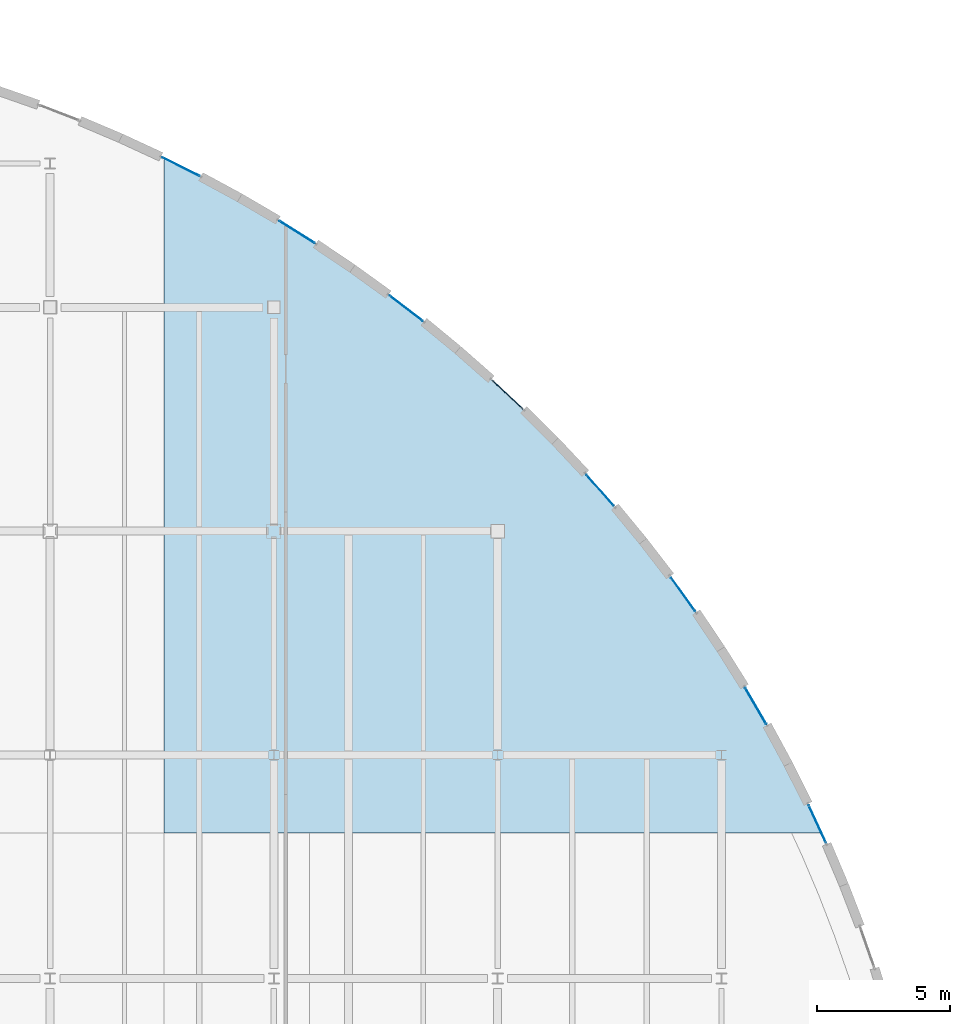
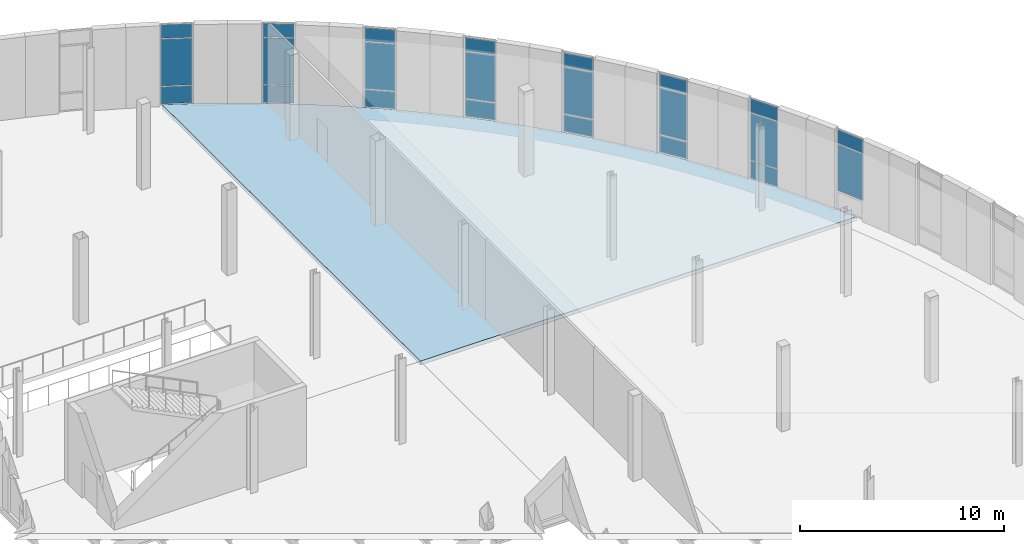
# One storey, part 64 of 104: 23 plates, 1 slab, 8 elements without a shape of their own.
"""IFC4 building model written with IfcOpenShell, lengths in metres."""

from ifc_helpers import new_model, si_unit, direction, frame, origin, origin_2d, place, context, subcontext, project, spatial, polyline, rectangle, outline, extrude, material, layer, layer_set, type_object, element, aggregate, save


model = new_model("IFC4")

# Units and contexts
model_context = context("Model", 3, precision=1e-05, world=origin(), true_north=direction((0.0, 1.0)))
body_context = subcontext(model_context, "Body", "Model", "MODEL_VIEW")
ifc_project = project(units=[si_unit("LENGTHUNIT", "METRE"), si_unit("AREAUNIT", "SQUARE_METRE"), si_unit("VOLUMEUNIT", "CUBIC_METRE"), si_unit("PLANEANGLEUNIT", "RADIAN"), si_unit("MASSUNIT", "GRAM", prefix="KILO"), si_unit("THERMODYNAMICTEMPERATUREUNIT", "KELVIN")], contexts=[model_context])

# Site, building, storey
site_placement = place(None, origin())
site = spatial("IfcSite", under=ifc_project, at=site_placement, CompositionType="ELEMENT")
building_placement = place(site_placement, origin())
building = spatial("IfcBuilding", under=site, at=building_placement, Name="Lustrewick Department Store", CompositionType="ELEMENT")
storey_placement = place(building_placement, frame((0.0, 0.0, 11.39990234375)))
storey = spatial("IfcBuildingStorey", under=building, at=storey_placement, Name="L03", CompositionType="ELEMENT", Elevation=11.39990234375)

# Curtain wall, plates
ifc_material_1 = material(Name="Thermally broken aluminium 6063-T5", Category="aluminium")
ifc_layer_1 = layer(ifc_material_1, 0.199951171875, Name="Thermally broken aluminium 6063-T5")
ifc_layer_set_1 = layer_set([ifc_layer_1], Name="Thermally broken aluminium 6063-T5")
curtain_wall_type_1 = type_object("IfcCurtainWallType", Name="CW01", PredefinedType="NOTDEFINED", material=ifc_layer_set_1)
curtain_wall_1_placement = place(storey_placement, origin())
curtain_wall_1 = element("IfcCurtainWall", 1, at=curtain_wall_1_placement, inside=storey, type_object=curtain_wall_type_1, Name="L03 V4 Curtain Wall CW01", PredefinedType="NOTDEFINED")
ifc_material_2 = material(Name="Low-E laminated safety glass", Category="glass")
ifc_layer_2 = layer(ifc_material_2, 0.02392578125, Name="Low-E laminated safety glass")
ifc_layer_set_2 = layer_set([ifc_layer_2], Name="Low-E laminated safety glass")
plate_type_1 = type_object("IfcPlateType", Name="CP01", PredefinedType="CURTAIN_PANEL", material=ifc_layer_set_2)
plate_1_placement = place(storey_placement, frame((158.1611328125, 90.02587890625, 0.070068359375), z_axis=(0.0, 0.0, 1.0), x_axis=(-0.585232055106, 0.810865859237, 0.0)))
plate_1 = element("IfcPlate", 2, at=plate_1_placement, type_object=plate_type_1, Name="CW01 panel 1.1", PredefinedType="CURTAIN_PANEL", context=body_context, shape_type="SweptSolid", body=[
    extrude(rectangle(XDim=1.52685546875, YDim=0.02392578125, at=origin_2d()), origin(), (0.0, 0.0, 1.0), 0.9951171875),
])
plate_2_placement = place(storey_placement, frame((158.1611328125, 90.02587890625, 1.13525390625), z_axis=(0.0, 0.0, 1.0), x_axis=(-0.585232055106, 0.810865859237, 0.0)))
plate_2 = element("IfcPlate", 3, at=plate_2_placement, type_object=plate_type_1, Name="CW01 panel 1.2", PredefinedType="CURTAIN_PANEL", context=body_context, shape_type="SweptSolid", body=[
    extrude(rectangle(XDim=1.52685546875, YDim=0.02392578125, at=origin_2d()), origin(), (0.0, 0.0, 1.0), 2.77490234375),
])
plate_3_placement = place(storey_placement, frame((158.1611328125, 90.02587890625, 3.980224609375), z_axis=(0.0, 0.0, 1.0), x_axis=(-0.585232055106, 0.810865859237, 0.0)))
plate_3 = element("IfcPlate", 4, at=plate_3_placement, type_object=plate_type_1, Name="CW01 panel 1.3", PredefinedType="CURTAIN_PANEL", context=body_context, shape_type="SweptSolid", body=[
    extrude(rectangle(XDim=1.52685546875, YDim=0.02392578125, at=origin_2d()), origin(), (0.0, 0.0, 1.0), 0.794921875),
])
aggregate(curtain_wall_1, [plate_1, plate_2, plate_3])

ifc_layer_3 = layer(ifc_material_1, 0.139892578125, Name="Thermally broken aluminium 6063-T5")
ifc_layer_set_3 = layer_set([ifc_layer_3], Name="Thermally broken aluminium 6063-T5")
curtain_wall_type_2 = type_object("IfcCurtainWallType", Name="CW06", PredefinedType="NOTDEFINED", material=ifc_layer_set_3)
curtain_wall_2_placement = place(storey_placement, origin())
curtain_wall_2 = element("IfcCurtainWall", 5, at=curtain_wall_2_placement, inside=storey, type_object=curtain_wall_type_2, Name="L03 V4 Curtain Wall CW06", PredefinedType="NOTDEFINED")
plate_4_placement = place(storey_placement, frame((139.306884765625, 106.076904296875, 0.05517578125), z_axis=(0.0, 0.0, 1.0), x_axis=(-0.893898627635, 0.448269164132, 0.0)))
plate_4 = element("IfcPlate", 6, at=plate_4_placement, type_object=plate_type_1, Name="CW06 panel 1.1", PredefinedType="CURTAIN_PANEL", context=body_context, shape_type="SweptSolid", body=[
    extrude(rectangle(XDim=1.556884765625, YDim=0.02392578125, at=origin_2d()), origin(), (0.0, 0.0, 1.0), 1.017578125),
])
plate_5_placement = place(storey_placement, frame((139.306884765625, 106.076904296875, 1.127685546875), z_axis=(0.0, 0.0, 1.0), x_axis=(-0.893898627635, 0.448269164132, 0.0)))
plate_5 = element("IfcPlate", 7, at=plate_5_placement, type_object=plate_type_1, Name="CW06 panel 1.2", PredefinedType="CURTAIN_PANEL", context=body_context, shape_type="SweptSolid", body=[
    extrude(rectangle(XDim=1.556884765625, YDim=0.02392578125, at=origin_2d()), origin(), (0.0, 0.0, 1.0), 2.7900390625),
])
plate_6_placement = place(storey_placement, frame((139.306884765625, 106.076904296875, 3.97265625), z_axis=(0.0, 0.0, 1.0), x_axis=(-0.893898627635, 0.448269164132, 0.0)))
plate_6 = element("IfcPlate", 8, at=plate_6_placement, type_object=plate_type_1, Name="CW06 panel 1.3", PredefinedType="CURTAIN_PANEL", context=body_context, shape_type="SweptSolid", body=[
    extrude(rectangle(XDim=1.556884765625, YDim=0.02392578125, at=origin_2d()), origin(), (0.0, 0.0, 1.0), 0.8173828125),
])
aggregate(curtain_wall_2, [plate_4, plate_5, plate_6])

ifc_layer_4 = layer(ifc_material_1, 0.179931640625, Name="Thermally broken aluminium 6063-T5")
ifc_layer_set_4 = layer_set([ifc_layer_4], Name="Thermally broken aluminium 6063-T5")
curtain_wall_type_3 = type_object("IfcCurtainWallType", Name="CW02", PredefinedType="NOTDEFINED", material=ifc_layer_set_4)
curtain_wall_3_placement = place(storey_placement, origin())
curtain_wall_3 = element("IfcCurtainWall", 9, at=curtain_wall_3_placement, inside=storey, type_object=curtain_wall_type_3, Name="L03 V4 Curtain Wall CW02", PredefinedType="NOTDEFINED")
ifc_layer_5 = layer(ifc_material_2, 0.02587890625, Name="Low-E laminated safety glass")
ifc_layer_set_5 = layer_set([ifc_layer_5], Name="Low-E laminated safety glass")
plate_type_2 = type_object("IfcPlateType", Name="CP02", PredefinedType="CURTAIN_PANEL", material=ifc_layer_set_5)
plate_7_placement = place(storey_placement, frame((155.044921875, 93.933837890625, 0.065185546875), z_axis=(0.0, 0.0, 1.0), x_axis=(-0.660358716004, 0.750950308741, 0.0)))
plate_7 = element("IfcPlate", 10, at=plate_7_placement, type_object=plate_type_2, Name="CW02 panel 1.1", PredefinedType="CURTAIN_PANEL", context=body_context, shape_type="SweptSolid", body=[
    extrude(rectangle(XDim=1.536865234375, YDim=0.02587890625, at=origin_2d()), origin(), (0.0, 0.0, 1.0), 1.00244140625),
])
plate_8_placement = place(storey_placement, frame((155.044921875, 93.933837890625, 1.1328125), z_axis=(0.0, 0.0, 1.0), x_axis=(-0.660358716004, 0.750950308741, 0.0)))
plate_8 = element("IfcPlate", 11, at=plate_8_placement, type_object=plate_type_2, Name="CW02 panel 1.2", PredefinedType="CURTAIN_PANEL", context=body_context, shape_type="SweptSolid", body=[
    extrude(rectangle(XDim=1.536865234375, YDim=0.02587890625, at=origin_2d()), origin(), (0.0, 0.0, 1.0), 2.780029296875),
])
plate_9_placement = place(storey_placement, frame((155.044921875, 93.933837890625, 3.9775390625), z_axis=(0.0, 0.0, 1.0), x_axis=(-0.660358716004, 0.750950308741, 0.0)))
plate_9 = element("IfcPlate", 12, at=plate_9_placement, type_object=plate_type_2, Name="CW02 panel 1.3", PredefinedType="CURTAIN_PANEL", context=body_context, shape_type="SweptSolid", body=[
    extrude(rectangle(XDim=1.536865234375, YDim=0.02587890625, at=origin_2d()), origin(), (0.0, 0.0, 1.0), 0.802490234375),
])
aggregate(curtain_wall_3, [plate_7, plate_8, plate_9])

ifc_layer_6 = layer(ifc_material_1, 0.169921875, Name="Thermally broken aluminium 6063-T5")
ifc_layer_set_6 = layer_set([ifc_layer_6], Name="Thermally broken aluminium 6063-T5")
curtain_wall_type_4 = type_object("IfcCurtainWallType", Name="CW03", PredefinedType="NOTDEFINED", material=ifc_layer_set_6)
curtain_wall_4_placement = place(storey_placement, origin())
curtain_wall_4 = element("IfcCurtainWall", 13, at=curtain_wall_4_placement, inside=storey, type_object=curtain_wall_type_4, Name="L03 V4 Curtain Wall CW03", PredefinedType="NOTDEFINED")
ifc_layer_7 = layer(ifc_material_2, 0.028076171875, Name="Low-E laminated safety glass")
ifc_layer_set_7 = layer_set([ifc_layer_7], Name="Low-E laminated safety glass")
plate_type_3 = type_object("IfcPlateType", Name="CP03", PredefinedType="CURTAIN_PANEL", material=ifc_layer_set_7)
plate_10_placement = place(storey_placement, frame((151.567626953125, 97.5244140625, 0.065185546875), z_axis=(0.0, 0.0, 1.0), x_axis=(-0.729419333383, 0.68406683598, 0.0)))
plate_10 = element("IfcPlate", 14, at=plate_10_placement, type_object=plate_type_3, Name="CW03 panel 1.1", PredefinedType="CURTAIN_PANEL", context=body_context, shape_type="SweptSolid", body=[
    extrude(rectangle(XDim=1.536865234375, YDim=0.028076171875, at=origin_2d()), origin(), (0.0, 0.0, 1.0), 1.00244140625),
])
plate_11_placement = place(storey_placement, frame((151.567626953125, 97.5244140625, 1.1328125), z_axis=(0.0, 0.0, 1.0), x_axis=(-0.729419333383, 0.68406683598, 0.0)))
plate_11 = element("IfcPlate", 15, at=plate_11_placement, type_object=plate_type_3, Name="CW03 panel 1.2", PredefinedType="CURTAIN_PANEL", context=body_context, shape_type="SweptSolid", body=[
    extrude(rectangle(XDim=1.536865234375, YDim=0.028076171875, at=origin_2d()), origin(), (0.0, 0.0, 1.0), 2.780029296875),
])
plate_12_placement = place(storey_placement, frame((151.567626953125, 97.5244140625, 3.9775390625), z_axis=(0.0, 0.0, 1.0), x_axis=(-0.729419333383, 0.68406683598, 0.0)))
plate_12 = element("IfcPlate", 16, at=plate_12_placement, type_object=plate_type_3, Name="CW03 panel 1.3", PredefinedType="CURTAIN_PANEL", context=body_context, shape_type="SweptSolid", body=[
    extrude(rectangle(XDim=1.536865234375, YDim=0.028076171875, at=origin_2d()), origin(), (0.0, 0.0, 1.0), 0.802490234375),
])
aggregate(curtain_wall_4, [plate_10, plate_11, plate_12])

ifc_layer_8 = layer(ifc_material_1, 0.14990234375, Name="Thermally broken aluminium 6063-T5")
ifc_layer_set_8 = layer_set([ifc_layer_8], Name="Thermally broken aluminium 6063-T5")
curtain_wall_type_5 = type_object("IfcCurtainWallType", Name="CW14", PredefinedType="NOTDEFINED", material=ifc_layer_set_8)
curtain_wall_5_placement = place(storey_placement, origin())
curtain_wall_5 = element("IfcCurtainWall", 17, at=curtain_wall_5_placement, inside=storey, type_object=curtain_wall_type_5, Name="L03 V4 Curtain Wall CW14", PredefinedType="NOTDEFINED")
ifc_material_3 = material(Name="Tinted ceramic spandrel safety glass", Category="glass")
ifc_layer_9 = layer(ifc_material_3, 0.030029296875, Name="Tinted ceramic spandrel safety glass")
ifc_layer_set_9 = layer_set([ifc_layer_9], Name="Tinted ceramic spandrel safety glass")
plate_type_4 = type_object("IfcPlateType", Name="CP04", PredefinedType="CURTAIN_PANEL", material=ifc_layer_set_9)
plate_13_placement = place(storey_placement, frame((163.199951171875, 81.4052734375, 1.13037109375), z_axis=(0.0, 0.0, 1.0), x_axis=(-0.419381504995, 0.907810086565, 0.0)))
plate_13 = element("IfcPlate", 18, at=plate_13_placement, type_object=plate_type_4, Name="CW14 panel 1.2", PredefinedType="CURTAIN_PANEL", context=body_context, shape_type="SweptSolid", body=[
    extrude(rectangle(XDim=1.546875, YDim=0.030029296875, at=origin_2d()), origin(), (0.0, 0.0, 1.0), 2.784912109375),
])
plate_14_placement = place(storey_placement, frame((163.199951171875, 81.4052734375, 3.97509765625), z_axis=(0.0, 0.0, 1.0), x_axis=(-0.419381504995, 0.907810086565, 0.0)))
plate_14 = element("IfcPlate", 19, at=plate_14_placement, type_object=plate_type_4, Name="CW14 panel 1.3", PredefinedType="CURTAIN_PANEL", context=body_context, shape_type="SweptSolid", body=[
    extrude(rectangle(XDim=1.546875, YDim=0.030029296875, at=origin_2d()), origin(), (0.0, 0.0, 1.0), 0.81005859375),
])
aggregate(curtain_wall_5, [plate_13, plate_14])

ifc_layer_10 = layer(ifc_material_1, 0.159912109375, Name="Thermally broken aluminium 6063-T5")
ifc_layer_set_10 = layer_set([ifc_layer_10], Name="Thermally broken aluminium 6063-T5")
curtain_wall_type_6 = type_object("IfcCurtainWallType", Name="CW04", PredefinedType="NOTDEFINED", material=ifc_layer_set_10)
curtain_wall_6_placement = place(storey_placement, origin())
curtain_wall_6 = element("IfcCurtainWall", 20, at=curtain_wall_6_placement, inside=storey, type_object=curtain_wall_type_6, Name="L03 V4 Curtain Wall CW04", PredefinedType="NOTDEFINED")
plate_15_placement = place(storey_placement, frame((147.76171875, 100.764404296875, 0.06005859375), z_axis=(0.0, 0.0, 1.0), x_axis=(-0.791733347039, 0.610866848982, 0.0)))
plate_15 = element("IfcPlate", 21, at=plate_15_placement, type_object=plate_type_4, Name="CW04 panel 1.1", PredefinedType="CURTAIN_PANEL", context=body_context, shape_type="SweptSolid", body=[
    extrude(rectangle(XDim=1.546875, YDim=0.030029296875, at=origin_2d()), origin(), (0.0, 0.0, 1.0), 1.010009765625),
])
plate_16_placement = place(storey_placement, frame((147.76171875, 100.764404296875, 1.13037109375), z_axis=(0.0, 0.0, 1.0), x_axis=(-0.791733347039, 0.610866848982, 0.0)))
plate_16 = element("IfcPlate", 22, at=plate_16_placement, type_object=plate_type_4, Name="CW04 panel 1.2", PredefinedType="CURTAIN_PANEL", context=body_context, shape_type="SweptSolid", body=[
    extrude(rectangle(XDim=1.546875, YDim=0.030029296875, at=origin_2d()), origin(), (0.0, 0.0, 1.0), 2.784912109375),
])
plate_17_placement = place(storey_placement, frame((147.76171875, 100.764404296875, 3.97509765625), z_axis=(0.0, 0.0, 1.0), x_axis=(-0.791733347039, 0.610866848982, 0.0)))
plate_17 = element("IfcPlate", 23, at=plate_17_placement, type_object=plate_type_4, Name="CW04 panel 1.3", PredefinedType="CURTAIN_PANEL", context=body_context, shape_type="SweptSolid", body=[
    extrude(rectangle(XDim=1.546875, YDim=0.030029296875, at=origin_2d()), origin(), (0.0, 0.0, 1.0), 0.81005859375),
])
aggregate(curtain_wall_6, [plate_15, plate_16, plate_17])

ifc_layer_11 = layer(ifc_material_1, 0.139892578125, Name="Thermally broken aluminium 6063-T5")
ifc_layer_set_11 = layer_set([ifc_layer_11], Name="Thermally broken aluminium 6063-T5")
curtain_wall_type_7 = type_object("IfcCurtainWallType", Name="CW15", PredefinedType="NOTDEFINED", material=ifc_layer_set_11)
curtain_wall_7_placement = place(storey_placement, origin())
curtain_wall_7 = element("IfcCurtainWall", 24, at=curtain_wall_7_placement, inside=storey, type_object=curtain_wall_type_7, Name="L03 V4 Curtain Wall CW15", PredefinedType="NOTDEFINED")
ifc_material_4 = material(Name="Low-E triple laminated safety glass", Category="glass")
ifc_layer_12 = layer(ifc_material_4, 0.031982421875, Name="Low-E triple laminated safety glass")
ifc_layer_set_12 = layer_set([ifc_layer_12], Name="Low-E triple laminated safety glass")
plate_type_5 = type_object("IfcPlateType", Name="CP05", PredefinedType="CURTAIN_PANEL", material=ifc_layer_set_12)
plate_18_placement = place(storey_placement, frame((160.887939453125, 85.8369140625, 0.05517578125), z_axis=(0.0, 0.0, 1.0), x_axis=(-0.504642934299, 0.86332815827, 0.0)))
plate_18 = element("IfcPlate", 25, at=plate_18_placement, type_object=plate_type_5, Name="CW15 panel 1.1", PredefinedType="CURTAIN_PANEL", context=body_context, shape_type="SweptSolid", body=[
    extrude(rectangle(XDim=1.556884765625, YDim=0.031982421875, at=origin_2d()), origin(), (0.0, 0.0, 1.0), 1.017578125),
])
plate_19_placement = place(storey_placement, frame((160.887939453125, 85.8369140625, 1.127685546875), z_axis=(0.0, 0.0, 1.0), x_axis=(-0.504642934299, 0.86332815827, 0.0)))
plate_19 = element("IfcPlate", 26, at=plate_19_placement, type_object=plate_type_5, Name="CW15 panel 1.2", PredefinedType="CURTAIN_PANEL", context=body_context, shape_type="SweptSolid", body=[
    extrude(rectangle(XDim=1.556884765625, YDim=0.031982421875, at=origin_2d()), origin(), (0.0, 0.0, 1.0), 2.7900390625),
])
plate_20_placement = place(storey_placement, frame((160.887939453125, 85.8369140625, 3.97265625), z_axis=(0.0, 0.0, 1.0), x_axis=(-0.504642934299, 0.86332815827, 0.0)))
plate_20 = element("IfcPlate", 27, at=plate_20_placement, type_object=plate_type_5, Name="CW15 panel 1.3", PredefinedType="CURTAIN_PANEL", context=body_context, shape_type="SweptSolid", body=[
    extrude(rectangle(XDim=1.556884765625, YDim=0.031982421875, at=origin_2d()), origin(), (0.0, 0.0, 1.0), 0.8173828125),
])
aggregate(curtain_wall_7, [plate_18, plate_19, plate_20])

ifc_layer_13 = layer(ifc_material_1, 0.14990234375, Name="Thermally broken aluminium 6063-T5")
ifc_layer_set_13 = layer_set([ifc_layer_13], Name="Thermally broken aluminium 6063-T5")
curtain_wall_type_8 = type_object("IfcCurtainWallType", Name="CW05", PredefinedType="NOTDEFINED", material=ifc_layer_set_13)
curtain_wall_8_placement = place(storey_placement, origin())
curtain_wall_8 = element("IfcCurtainWall", 28, at=curtain_wall_8_placement, inside=storey, type_object=curtain_wall_type_8, Name="L03 V4 Curtain Wall CW05", PredefinedType="NOTDEFINED")
plate_21_placement = place(storey_placement, frame((143.662109375, 103.6240234375, 0.06005859375), z_axis=(0.0, 0.0, 1.0), x_axis=(-0.846735387226, 0.532014270503, 0.0)))
plate_21 = element("IfcPlate", 29, at=plate_21_placement, type_object=plate_type_5, Name="CW05 panel 1.1", PredefinedType="CURTAIN_PANEL", context=body_context, shape_type="SweptSolid", body=[
    extrude(rectangle(XDim=1.546875, YDim=0.031982421875, at=origin_2d()), origin(), (0.0, 0.0, 1.0), 1.010009765625),
])
plate_22_placement = place(storey_placement, frame((143.662109375, 103.6240234375, 1.13037109375), z_axis=(0.0, 0.0, 1.0), x_axis=(-0.846735387226, 0.532014270503, 0.0)))
plate_22 = element("IfcPlate", 30, at=plate_22_placement, type_object=plate_type_5, Name="CW05 panel 1.2", PredefinedType="CURTAIN_PANEL", context=body_context, shape_type="SweptSolid", body=[
    extrude(rectangle(XDim=1.546875, YDim=0.031982421875, at=origin_2d()), origin(), (0.0, 0.0, 1.0), 2.784912109375),
])
plate_23_placement = place(storey_placement, frame((143.662109375, 103.6240234375, 3.97509765625), z_axis=(0.0, 0.0, 1.0), x_axis=(-0.846735387226, 0.532014270503, 0.0)))
plate_23 = element("IfcPlate", 31, at=plate_23_placement, type_object=plate_type_5, Name="CW05 panel 1.3", PredefinedType="CURTAIN_PANEL", context=body_context, shape_type="SweptSolid", body=[
    extrude(rectangle(XDim=1.546875, YDim=0.031982421875, at=origin_2d()), origin(), (0.0, 0.0, 1.0), 0.81005859375),
])
aggregate(curtain_wall_8, [plate_21, plate_22, plate_23])

# Slab
ifc_material_5 = material(Name="Concrete C30", Category="concrete")
ifc_layer_14 = layer(ifc_material_5, 0.239990234375, Name="Concrete C30")
ifc_layer_set_14 = layer_set([ifc_layer_14], Name="Concrete C30")
slab_type = type_object("IfcSlabType", Name="FS03", PredefinedType="FLOOR", material=ifc_layer_set_14)
slab_placement = place(storey_placement, frame((0.0, 0.0, -0.239990234375)))
element("IfcSlab", 32, at=slab_placement, inside=storey, type_object=slab_type, Name="L03 V4 Floor Slab FS03", PredefinedType="FLOOR", context=body_context, shape_type="SweptSolid", body=[
    extrude(outline(polyline([(140.052001953125, 105.703125), (138.675048828125, 106.393798828125), (138.675048828125, 81.074951171875), (163.3525390625, 81.074951171875), (162.850341796875, 82.162109375), (162.103271484375, 83.652099609375), (161.30859375, 85.1171875), (160.46728515625, 86.556396484375), (159.58056640625, 87.9677734375), (158.64892578125, 89.35009765625), (157.673583984375, 90.70166015625), (156.6552734375, 92.021484375), (155.59521484375, 93.307861328125), (154.494384765625, 94.5595703125), (153.354248046875, 95.775390625), (152.175537109375, 96.9541015625), (150.959716796875, 98.094482421875), (149.7080078125, 99.1953125), (148.42138671875, 100.255126953125), (147.101806640625, 101.2734375), (145.75, 102.2490234375), (144.367919921875, 103.1806640625), (142.956298828125, 104.0673828125), (141.517333984375, 104.90869140625), (140.052001953125, 105.703125)])), origin(), (0.0, 0.0, 1.0), 0.239990234375),
])

save(model, "model.ifc")
